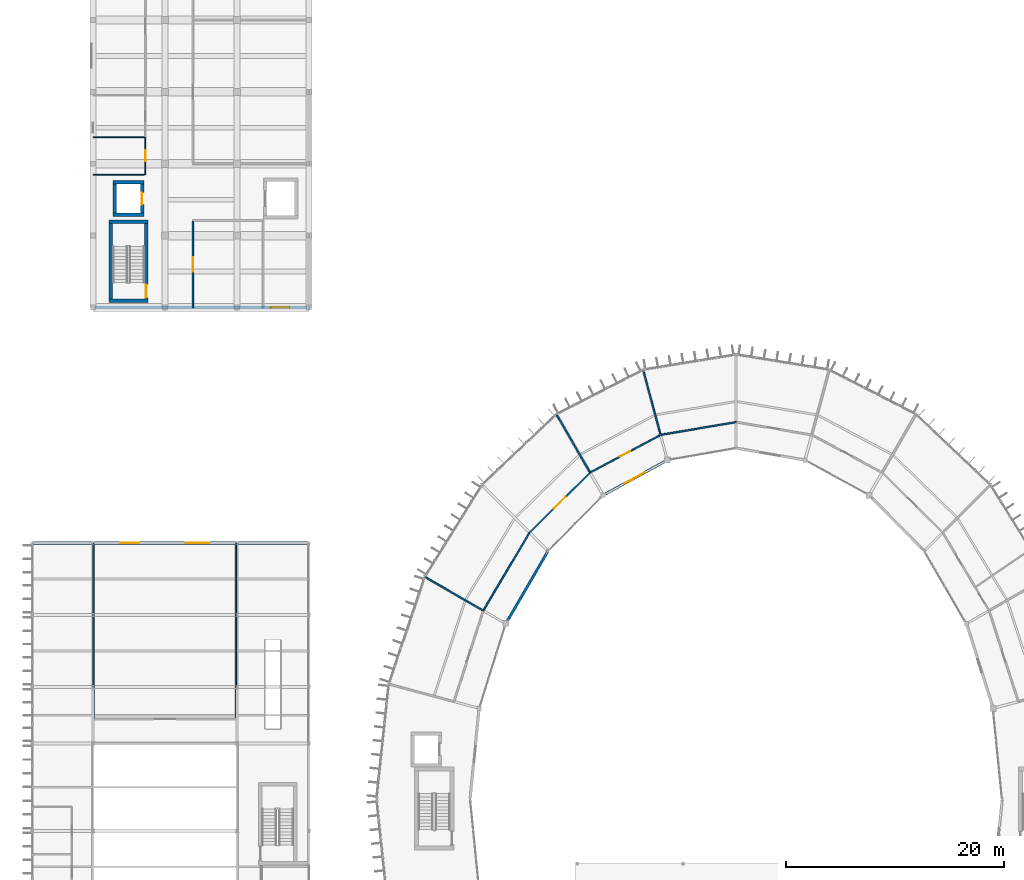
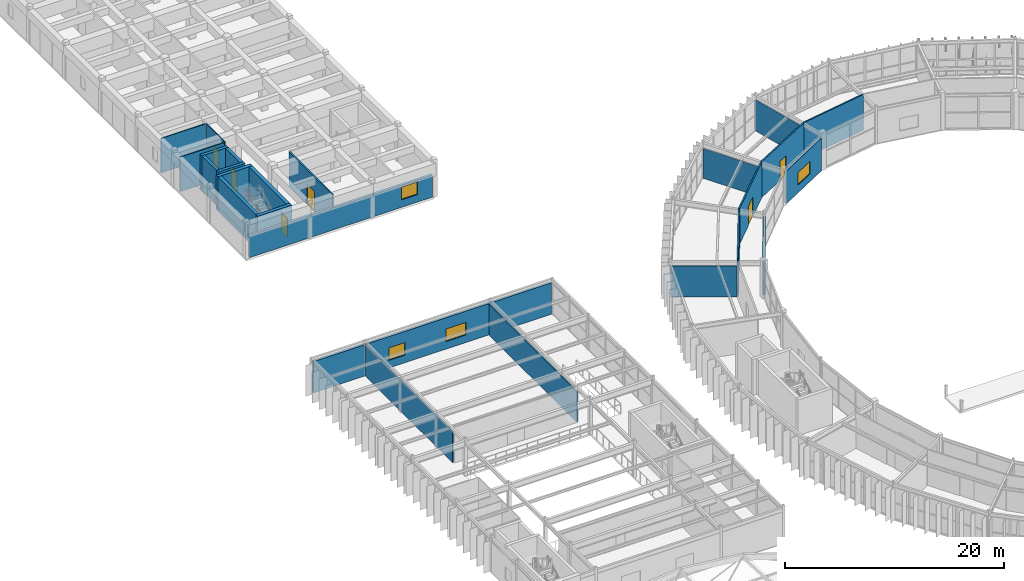
# One storey, part 141 of 157: 25 walls, 6 doors, 4 windows, 10 openings.
"""IFC4 building model written with IfcOpenShell, lengths in metres."""

from ifc_helpers import new_model, si_unit, direction, frame, frame_2d, origin, place, context, subcontext, project, spatial, rectangle, extrude, material, layer, layer_set, type_object, element, fill, save


model = new_model("IFC4")

# Units and contexts
model_context = context("Model", 3, precision=1e-05, world=origin(), true_north=direction((0.0, 1.0)))
body_context = subcontext(model_context, "Body", "Model", "MODEL_VIEW")
ifc_project = project(units=[si_unit("LENGTHUNIT", "METRE"), si_unit("AREAUNIT", "SQUARE_METRE"), si_unit("VOLUMEUNIT", "CUBIC_METRE"), si_unit("PLANEANGLEUNIT", "RADIAN"), si_unit("MASSUNIT", "GRAM", prefix="KILO")], contexts=[model_context])

# Site, building, storey
site_placement = place(None, origin())
site = spatial("IfcSite", under=ifc_project, at=site_placement, CompositionType="ELEMENT")
building_placement = place(site_placement, origin())
building = spatial("IfcBuilding", under=site, at=building_placement, Name="Karori Crest Natural Sciences Institute", CompositionType="ELEMENT")
storey_placement = place(building_placement, frame((0.0, 0.0, 13.300048828125)))
storey = spatial("IfcBuildingStorey", under=building, at=storey_placement, Name="L03", CompositionType="ELEMENT", Elevation=13.300048828125)

# Walls
ifc_material_1 = material(Name="Concrete 50 MPa", Category="concrete")
ifc_layer_1 = layer(ifc_material_1, 0.35009765625, Name="Concrete 50 MPa")
ifc_layer_set_1 = layer_set([ifc_layer_1], Name="Concrete 50 MPa")
wall_type_1 = type_object("IfcWallType", Name="IWT-02", PredefinedType="SHEAR", material=ifc_layer_set_1)
for number, where, z_axis, x_axis, name in (
    (1, (8.85009765625, 95.625, 0.0), (0.0, 0.0, 1.0), (1.0, 0.0, 0.0), "Shear wall IW-0181"),
    (2, (8.85009765625, 102.875, 0.0), (0.0, 0.0, 1.0), (1.0, 0.0, 0.0), "Shear wall IW-0182"),
):
    element("IfcWall", number, at=place(storey_placement, frame(where, z_axis=z_axis, x_axis=x_axis)), inside=storey, type_object=wall_type_1, Name=name, PredefinedType="SHEAR", context=body_context, shape_type="SweptSolid", body=[
        extrude(rectangle(XDim=3.599853515625, YDim=0.35009765625, at=frame_2d((1.7998046875, 0.0))), origin(), (0.0, 0.0, 1.0), 3.849853515625),
    ])
wall_1_placement = place(storey_placement, frame((9.02490234375, 95.802001953125, 0.0), z_axis=(0.0, 0.0, 1.0), x_axis=(0.0, 1.0, 0.0)))
element("IfcWall", 3, at=wall_1_placement, inside=storey, type_object=wall_type_1, Name="Shear wall IW-0183", PredefinedType="SHEAR", context=body_context, shape_type="SweptSolid", body=[
    extrude(rectangle(XDim=6.89599609375, YDim=0.35009765625, at=frame_2d((3.447998046875, 0.0))), origin(), (0.0, 0.0, 1.0), 3.849853515625),
])

# Wall, opening, door
wall_2_placement = place(storey_placement, frame((12.27490234375, 95.802001953125, 0.0), z_axis=(0.0, 0.0, 1.0), x_axis=(0.0, 1.0, 0.0)))
wall_2 = element("IfcWall", 4, at=wall_2_placement, inside=storey, type_object=wall_type_1, Name="Shear wall IW-0184", PredefinedType="SHEAR", context=body_context, shape_type="SweptSolid", body=[
    extrude(rectangle(XDim=6.89599609375, YDim=0.35009765625, at=frame_2d((3.447998046875, 0.0))), origin(), (0.0, 0.0, 1.0), 3.849853515625),
])
opening_1_placement = place(wall_2_placement, frame((0.1201171875, 0.0, 0.0)))
opening_1 = element("IfcOpeningElement", 5, at=opening_1_placement, cuts=wall_2, Name="Opening ID-0046", PredefinedType="OPENING", context=body_context, shape_type="SweptSolid", body=[
    extrude(rectangle(XDim=1.199951171875, YDim=2.14990234375, at=frame_2d((0.60009765625, 1.074951171875))), frame((0.0, 0.18505859375, 0.0), z_axis=(0.0, -1.0, 0.0), x_axis=(1.0, 0.0, 0.0)), (0.0, 0.0, 1.0), 0.3701171875),
])
ifc_material_2 = material(Name="Stainless steel 316 and fire-rated timber", Category="steel")
door_type_1 = type_object("IfcDoorType", Name="IDT-01", OperationType="NOTDEFINED", PredefinedType="DOOR", material=ifc_material_2)
door_1_placement = place(opening_1_placement, origin())
door_1 = element("IfcDoor", 6, at=door_1_placement, inside=storey, type_object=door_type_1, Name="Stair ST-05 fire door ID-0046", OperationType="SINGLE_SWING_RIGHT", OverallHeight=2.14990234375, OverallWidth=1.199951171875, PredefinedType="DOOR", context=body_context, shape_type="SweptSolid", body=[
    extrude(rectangle(XDim=1.199951171875, YDim=2.14990234375, at=frame_2d((0.60009765625, 1.074951171875))), frame((0.0, 0.02490234375, 0.0), z_axis=(0.0, -1.0, 0.0), x_axis=(1.0, 0.0, 0.0)), (0.0, 0.0, 1.0), 0.050048828125),
])
fill(opening_1, door_1)

# Walls
ifc_layer_2 = layer(ifc_material_1, 0.320068359375, Name="Concrete 50 MPa")
ifc_layer_set_2 = layer_set([ifc_layer_2], Name="Concrete 50 MPa")
wall_type_2 = type_object("IfcWallType", Name="IWT-03", PredefinedType="SHEAR", material=ifc_layer_set_2)
for number, where, z_axis, x_axis, name in (
    (7, (9.2451171875, 103.5048828125, 0.0), (0.0, 0.0, 1.0), (1.0, 0.0, 0.0), "Shear wall IW-0503"),
    (8, (9.2451171875, 106.4951171875, 0.0), (0.0, 0.0, 1.0), (1.0, 0.0, 0.0), "Shear wall IW-0504"),
):
    element("IfcWall", number, at=place(storey_placement, frame(where, z_axis=z_axis, x_axis=x_axis)), inside=storey, type_object=wall_type_2, Name=name, PredefinedType="SHEAR", context=body_context, shape_type="SweptSolid", body=[
        extrude(rectangle(XDim=2.809814453125, YDim=0.320068359375, at=frame_2d((1.40478515625, 0.0))), origin(), (0.0, 0.0, 1.0), 3.849853515625),
    ])
wall_3_placement = place(storey_placement, frame((9.405029296875, 103.6669921875, 0.0), z_axis=(0.0, 0.0, 1.0), x_axis=(0.0, 1.0, 0.0)))
element("IfcWall", 9, at=wall_3_placement, inside=storey, type_object=wall_type_2, Name="Shear wall IW-0505", PredefinedType="SHEAR", context=body_context, shape_type="SweptSolid", body=[
    extrude(rectangle(XDim=2.666015625, YDim=0.320068359375, at=frame_2d((1.3330078125, 0.0))), origin(), (0.0, 0.0, 1.0), 3.849853515625),
])

# Wall, opening, door
wall_4_placement = place(storey_placement, frame((11.89501953125, 103.6669921875, 0.0), z_axis=(0.0, 0.0, 1.0), x_axis=(0.0, 1.0, 0.0)))
wall_4 = element("IfcWall", 10, at=wall_4_placement, inside=storey, type_object=wall_type_2, Name="Shear wall IW-0506", PredefinedType="SHEAR", context=body_context, shape_type="SweptSolid", body=[
    extrude(rectangle(XDim=2.666015625, YDim=0.320068359375, at=frame_2d((1.3330078125, 0.0))), origin(), (0.0, 0.0, 1.0), 3.849853515625),
])
opening_2_placement = place(wall_4_placement, frame((0.782958984375, 0.0, 0.0)))
opening_2 = element("IfcOpeningElement", 11, at=opening_2_placement, cuts=wall_4, Name="Opening LD-0052", PredefinedType="OPENING", context=body_context, shape_type="SweptSolid", body=[
    extrude(rectangle(XDim=1.10009765625, YDim=2.14990234375, at=frame_2d((0.550048828125, 1.074951171875))), frame((0.0, 0.169921875, 0.0), z_axis=(0.0, -1.0, 0.0), x_axis=(1.0, 0.0, 0.0)), (0.0, 0.0, 1.0), 0.340087890625),
])
door_type_2 = type_object("IfcDoorType", Name="LDT-01", OperationType="SLIDING_TO_LEFT", PredefinedType="DOOR", material=ifc_material_2)
door_2_placement = place(opening_2_placement, origin())
door_2 = element("IfcDoor", 12, at=door_2_placement, inside=storey, type_object=door_type_2, Name="Lift LP-04 landing door LD-0052", OperationType="SLIDING_TO_LEFT", OverallHeight=2.14990234375, OverallWidth=1.10009765625, PredefinedType="DOOR", context=body_context, shape_type="SweptSolid", body=[
    extrude(rectangle(XDim=1.10009765625, YDim=2.14990234375, at=frame_2d((0.550048828125, 1.074951171875))), frame((0.0, 0.02490234375, 0.0), z_axis=(0.0, -1.0, 0.0), x_axis=(1.0, 0.0, 0.0)), (0.0, 0.0, 1.0), 0.050048828125),
])
fill(opening_2, door_2)

ifc_material_3 = material(Name="Clean-room insulated fire partition")
ifc_layer_3 = layer(ifc_material_3, 0.14990234375, Name="Clean-room insulated fire partition")
ifc_layer_set_3 = layer_set([ifc_layer_3], Name="Clean-room insulated fire partition")
wall_type_3 = type_object("IfcWallType", Name="IWT-06", PredefinedType="PARTITIONING", material=ifc_layer_set_3)
wall_5_placement = place(storey_placement, frame((16.550048828125, 95.0, 0.0), z_axis=(0.0, 0.0, 1.0), x_axis=(0.0, 1.0, 0.0)))
wall_5 = element("IfcWall", 13, at=wall_5_placement, inside=storey, type_object=wall_type_3, Name="Partition wall IW-0992", PredefinedType="PARTITIONING", context=body_context, shape_type="SweptSolid", body=[
    extrude(rectangle(XDim=7.923095703125, YDim=0.14990234375, at=frame_2d((3.96142578125, 0.0))), origin(), (0.0, 0.0, 1.0), 3.849853515625),
])
opening_3_placement = place(wall_5_placement, frame((3.3115234375, 0.0, 0.0)))
opening_3 = element("IfcOpeningElement", 14, at=opening_3_placement, cuts=wall_5, Name="Opening ID-0267", PredefinedType="OPENING", context=body_context, shape_type="SweptSolid", body=[
    extrude(rectangle(XDim=1.300048828125, YDim=2.199951171875, at=frame_2d((0.64990234375, 1.10009765625))), frame((0.0, 0.0849609375, 0.0), z_axis=(0.0, -1.0, 0.0), x_axis=(1.0, 0.0, 0.0)), (0.0, 0.0, 1.0), 0.169921875),
])
door_type_3 = type_object("IfcDoorType", Name="IDT-04", OperationType="NOTDEFINED", PredefinedType="DOOR", material=ifc_material_2)
door_3_placement = place(opening_3_placement, origin())
door_3 = element("IfcDoor", 15, at=door_3_placement, inside=storey, type_object=door_type_3, Name="ISO Class 5 Lithography Clean Room door ID-0267", OperationType="SINGLE_SWING_LEFT", OverallHeight=2.199951171875, OverallWidth=1.300048828125, PredefinedType="DOOR", context=body_context, shape_type="SweptSolid", body=[
    extrude(rectangle(XDim=1.300048828125, YDim=2.199951171875, at=frame_2d((0.64990234375, 1.10009765625))), frame((0.0, 0.02490234375, 0.0), z_axis=(0.0, -1.0, 0.0), x_axis=(1.0, 0.0, 0.0)), (0.0, 0.0, 1.0), 0.050048828125),
])
fill(opening_3, door_3)

# Walls
ifc_material_4 = material(Name="Laboratory acoustic drywall partition")
ifc_layer_4 = layer(ifc_material_4, 0.139892578125, Name="Laboratory acoustic drywall partition")
ifc_layer_set_4 = layer_set([ifc_layer_4], Name="Laboratory acoustic drywall partition")
wall_type_4 = type_object("IfcWallType", Name="IWT-07", PredefinedType="PARTITIONING", material=ifc_layer_set_4)
wall_6_placement = place(storey_placement, frame((7.449951171875, 57.322021484375, 0.0), z_axis=(0.0, 0.0, 1.0), x_axis=(0.0, 1.0, 0.0)))
element("IfcWall", 16, at=wall_6_placement, inside=storey, type_object=wall_type_4, Name="Partition wall IW-1116", PredefinedType="PARTITIONING", context=body_context, shape_type="SweptSolid", body=[
    extrude(rectangle(XDim=16.077880859375, YDim=0.139892578125, at=frame_2d((8.0390625, 0.0))), origin(), (0.0, 0.0, 1.0), 3.445068359375),
])
wall_7_placement = place(storey_placement, frame((20.5, 57.25, 0.0), z_axis=(0.0, 0.0, 1.0), x_axis=(0.0, 1.0, 0.0)))
element("IfcWall", 17, at=wall_7_placement, inside=storey, type_object=wall_type_4, Name="Partition wall IW-1117", PredefinedType="PARTITIONING", context=body_context, shape_type="SweptSolid", body=[
    extrude(rectangle(XDim=16.14990234375, YDim=0.139892578125, at=frame_2d((8.074951171875, 0.0))), origin(), (0.0, 0.0, 1.0), 3.445068359375),
])
wall_8_placement = place(storey_placement, frame((66.39794921875, 84.499755859375, 0.0), z_axis=(0.0, 0.0, 1.0), x_axis=(-0.985858771321, -0.167578289193, 0.0)))
element("IfcWall", 18, at=wall_8_placement, inside=storey, type_object=wall_type_4, Name="Partition wall IW-1300", PredefinedType="PARTITIONING", context=body_context, shape_type="SweptSolid", body=[
    extrude(rectangle(XDim=7.03369140625, YDim=0.139892578125, at=frame_2d((3.516845703125, 0.0))), origin(), (0.0, 0.0, 1.0), 3.97998046875),
])
wall_9_placement = place(storey_placement, frame((59.44287109375, 83.398193359375, 0.0), z_axis=(0.0, 0.0, 1.0), x_axis=(-0.258805895167, 0.965929349708, 0.0)))
element("IfcWall", 19, at=wall_9_placement, inside=storey, type_object=wall_type_4, Name="Partition wall IW-1301", PredefinedType="PARTITIONING", context=body_context, shape_type="SweptSolid", body=[
    extrude(rectangle(XDim=6.06005859375, YDim=0.139892578125, at=frame_2d((3.030029296875, 0.0))), origin(), (0.0, 0.0, 1.0), 3.46484375),
])

# Wall, opening, door
wall_10_placement = place(storey_placement, frame((59.3984375, 83.2861328125, 0.0), z_axis=(0.0, 0.0, 1.0), x_axis=(-0.881829873621, -0.471567676999, 0.0)))
wall_10 = element("IfcWall", 20, at=wall_10_placement, inside=storey, type_object=wall_type_4, Name="Partition wall IW-1302", PredefinedType="PARTITIONING", context=body_context, shape_type="SweptSolid", body=[
    extrude(rectangle(XDim=7.255859375, YDim=0.139892578125, at=frame_2d((3.6279296875, 0.0))), origin(), (0.0, 0.0, 1.0), 3.97998046875),
])
opening_4_placement = place(wall_10_placement, frame((3.10302734375, 0.0, 0.0)))
opening_4 = element("IfcOpeningElement", 21, at=opening_4_placement, cuts=wall_10, Name="Opening ID-0405", PredefinedType="OPENING", context=body_context, shape_type="SweptSolid", body=[
    extrude(rectangle(XDim=1.050048828125, YDim=2.14990234375, at=frame_2d((0.52490234375, 1.074951171875))), frame((0.0, 0.080078125, 0.0), z_axis=(0.0, -1.0, 0.0), x_axis=(1.0, 0.0, 0.0)), (0.0, 0.0, 1.0), 0.159912109375),
])
door_type_4 = type_object("IfcDoorType", Name="IDT-03", OperationType="NOTDEFINED", PredefinedType="DOOR", material=ifc_material_2)
door_4_placement = place(opening_4_placement, origin())
door_4 = element("IfcDoor", 22, at=door_4_placement, inside=storey, type_object=door_type_4, Name="Molecular Ecology Wet Laboratory door ID-0405", OperationType="SINGLE_SWING_RIGHT", OverallHeight=2.14990234375, OverallWidth=1.050048828125, PredefinedType="DOOR", context=body_context, shape_type="SweptSolid", body=[
    extrude(rectangle(XDim=1.050048828125, YDim=2.14990234375, at=frame_2d((0.52490234375, 1.074951171875))), frame((0.0, 0.02490234375, 0.0), z_axis=(0.0, -1.0, 0.0), x_axis=(1.0, 0.0, 0.0)), (0.0, 0.0, 1.0), 0.050048828125),
])
fill(opening_4, door_4)

# Wall
wall_11_placement = place(storey_placement, frame((52.9599609375, 79.933837890625, 0.0), z_axis=(0.0, 0.0, 1.0), x_axis=(-0.500008418462, 0.866020543329, 0.0)))
element("IfcWall", 23, at=wall_11_placement, inside=storey, type_object=wall_type_4, Name="Partition wall IW-1303", PredefinedType="PARTITIONING", context=body_context, shape_type="SweptSolid", body=[
    extrude(rectangle(XDim=6.06005859375, YDim=0.139892578125, at=frame_2d((3.030029296875, 0.0))), origin(), (0.0, 0.0, 1.0), 3.31298828125),
])

# Wall, opening, door
wall_12_placement = place(storey_placement, frame((52.99853515625, 79.863037109375, 0.0), z_axis=(0.0, 0.0, 1.0), x_axis=(-0.710427757183, -0.703770134222, 0.0)))
wall_12 = element("IfcWall", 24, at=wall_12_placement, inside=storey, type_object=wall_type_4, Name="Partition wall IW-1304", PredefinedType="PARTITIONING", context=body_context, shape_type="SweptSolid", body=[
    extrude(rectangle(XDim=7.810791015625, YDim=0.139892578125, at=frame_2d((3.9052734375, 0.0))), origin(), (0.0, 0.0, 1.0), 3.97998046875),
])
opening_5_placement = place(wall_12_placement, frame((3.155517578125, 0.0, 0.0)))
opening_5 = element("IfcOpeningElement", 25, at=opening_5_placement, cuts=wall_12, Name="Opening ID-0406", PredefinedType="OPENING", context=body_context, shape_type="SweptSolid", body=[
    extrude(rectangle(XDim=1.5, YDim=2.14990234375, at=frame_2d((0.75, 1.074951171875))), frame((0.0, 0.080078125, 0.0), z_axis=(0.0, -1.0, 0.0), x_axis=(1.0, 0.0, 0.0)), (0.0, 0.0, 1.0), 0.159912109375),
])
door_type_5 = type_object("IfcDoorType", Name="IDT-05", OperationType="DOUBLE_DOOR_SINGLE_SWING", PredefinedType="DOOR", material=ifc_material_2)
door_5_placement = place(opening_5_placement, origin())
door_5 = element("IfcDoor", 26, at=door_5_placement, inside=storey, type_object=door_type_5, Name="Wet Biology Laboratory door ID-0406", OperationType="DOUBLE_DOOR_SINGLE_SWING", OverallHeight=2.14990234375, OverallWidth=1.5, PredefinedType="DOOR", context=body_context, shape_type="SweptSolid", body=[
    extrude(rectangle(XDim=1.5, YDim=2.14990234375, at=frame_2d((0.75, 1.074951171875))), frame((0.0, 0.02490234375, 0.0), z_axis=(0.0, -1.0, 0.0), x_axis=(1.0, 0.0, 0.0)), (0.0, 0.0, 1.0), 0.050048828125),
])
fill(opening_5, door_5)

# Walls
wall_13_placement = place(storey_placement, frame((47.448486328125, 74.3642578125, 0.0), z_axis=(0.0, 0.0, 1.0), x_axis=(-0.510915698067, -0.859630821614, 0.0)))
element("IfcWall", 27, at=wall_13_placement, inside=storey, type_object=wall_type_4, Name="Partition wall IW-1305", PredefinedType="PARTITIONING", context=body_context, shape_type="SweptSolid", body=[
    extrude(rectangle(XDim=8.334228515625, YDim=0.139892578125, at=frame_2d((4.1669921875, 0.0))), origin(), (0.0, 0.0, 1.0), 3.97998046875),
])
wall_14_placement = place(storey_placement, frame((43.12109375, 67.239990234375, 0.0), z_axis=(0.0, 0.0, 1.0), x_axis=(-0.866010470582, 0.500025864173, 0.0)))
element("IfcWall", 28, at=wall_14_placement, inside=storey, type_object=wall_type_4, Name="Partition wall IW-1306", PredefinedType="PARTITIONING", context=body_context, shape_type="SweptSolid", body=[
    extrude(rectangle(XDim=6.059814453125, YDim=0.139892578125, at=frame_2d((3.02978515625, 0.0))), origin(), (0.0, 0.0, 1.0), 3.470947265625),
])
ifc_material_5 = material(Name="Washroom moisture-resistant partition")
ifc_layer_5 = layer(ifc_material_5, 0.10009765625, Name="Washroom moisture-resistant partition")
ifc_layer_set_5 = layer_set([ifc_layer_5], Name="Washroom moisture-resistant partition")
wall_type_5 = type_object("IfcWallType", Name="IWT-09", PredefinedType="PARTITIONING", material=ifc_layer_set_5)
for number, where, z_axis, x_axis, name in (
    (29, (7.39990234375, 107.199951171875, 0.0), (0.0, 0.0, 1.0), (1.0, 0.0, 0.0), "Partition wall IW-0980"),
    (30, (7.39990234375, 110.64990234375, 0.0), (0.0, 0.0, 1.0), (1.0, 0.0, 0.0), "Partition wall IW-0981"),
):
    element("IfcWall", number, at=place(storey_placement, frame(where, z_axis=z_axis, x_axis=x_axis)), inside=storey, type_object=wall_type_5, Name=name, PredefinedType="PARTITIONING", context=body_context, shape_type="SweptSolid", body=[
        extrude(rectangle(XDim=4.697998046875, YDim=0.10009765625, at=frame_2d((2.34912109375, 0.0))), origin(), (0.0, 0.0, 1.0), 3.849853515625),
    ])

# Wall, opening, door
wall_15_placement = place(storey_placement, frame((12.199951171875, 107.199951171875, 0.0), z_axis=(0.0, 0.0, 1.0), x_axis=(0.0, 1.0, 0.0)))
wall_15 = element("IfcWall", 31, at=wall_15_placement, inside=storey, type_object=wall_type_5, Name="Partition wall IW-0982", PredefinedType="PARTITIONING", context=body_context, shape_type="SweptSolid", body=[
    extrude(rectangle(XDim=3.449951171875, YDim=0.10009765625, at=frame_2d((1.72509765625, 0.0))), origin(), (0.0, 0.0, 1.0), 3.849853515625),
])
opening_6_placement = place(wall_15_placement, frame((1.22509765625, 0.0, 0.0)))
opening_6 = element("IfcOpeningElement", 32, at=opening_6_placement, cuts=wall_15, Name="Opening ID-0262", PredefinedType="OPENING", context=body_context, shape_type="SweptSolid", body=[
    extrude(rectangle(XDim=1.0, YDim=2.10009765625, at=frame_2d((0.5, 1.050048828125))), frame((0.0, 0.06005859375, 0.0), z_axis=(0.0, -1.0, 0.0), x_axis=(1.0, 0.0, 0.0)), (0.0, 0.0, 1.0), 0.1201171875),
])
ifc_material_6 = material(Name="Anodised aluminium and acoustic timber", Category="wood")
door_type_6 = type_object("IfcDoorType", Name="IDT-09", OperationType="NOTDEFINED", PredefinedType="DOOR", material=ifc_material_6)
door_6_placement = place(opening_6_placement, origin())
door_6 = element("IfcDoor", 33, at=door_6_placement, inside=storey, type_object=door_type_6, Name="Accessible WC door ID-0262", OperationType="SINGLE_SWING_RIGHT", OverallHeight=2.10009765625, OverallWidth=1.0, PredefinedType="DOOR", context=body_context, shape_type="SweptSolid", body=[
    extrude(rectangle(XDim=1.0, YDim=2.10009765625, at=frame_2d((0.5, 1.050048828125))), frame((0.0, 0.02490234375, 0.0), z_axis=(0.0, -1.0, 0.0), x_axis=(1.0, 0.0, 0.0)), (0.0, 0.0, 1.0), 0.050048828125),
])
fill(opening_6, door_6)

# Wall, opening, window
ifc_material_7 = material(Name="Precast concrete 40 MPa", Category="concrete")
ifc_layer_6 = layer(ifc_material_7, 0.260009765625, Name="Precast concrete 40 MPa")
ifc_layer_set_6 = layer_set([ifc_layer_6], Name="Precast concrete 40 MPa")
wall_type_6 = type_object("IfcWallType", Name="WT-03", PredefinedType="SOLIDWALL", material=ifc_layer_set_6)
wall_16_placement = place(storey_placement, frame((26.97705078125, 95.0, 0.0), z_axis=(0.0, 0.0, 1.0), x_axis=(-1.0, 0.0, 0.0)))
wall_16 = element("IfcWall", 34, at=wall_16_placement, inside=storey, type_object=wall_type_6, Name="Exterior wall EW-0172", PredefinedType="SOLIDWALL", context=body_context, shape_type="SweptSolid", body=[
    extrude(rectangle(XDim=19.35400390625, YDim=0.260009765625, at=frame_2d((9.677001953125, 0.0))), origin(), (0.0, 0.0, 1.0), 2.47998046875),
])
opening_7_placement = place(wall_16_placement, frame((1.576904296875, 0.0, 0.85009765625)))
opening_7 = element("IfcOpeningElement", 35, at=opening_7_placement, cuts=wall_16, Name="Opening WN-0115", PredefinedType="OPENING", context=body_context, shape_type="SweptSolid", body=[
    extrude(rectangle(XDim=1.699951171875, YDim=1.39990234375, at=frame_2d((0.85009765625, 0.699951171875))), frame((0.0, 0.14013671875, 0.0), z_axis=(0.0, -1.0, 0.0), x_axis=(1.0, 0.0, 0.0)), (0.0, 0.0, 1.0), 0.280029296875),
])
ifc_material_8 = material(Name="Double low-E laminated glass", Category="glass")
window_type_1 = type_object("IfcWindowType", Name="WNT-05", PartitioningType="SINGLE_PANEL", PredefinedType="WINDOW", material=ifc_material_8)
window_1_placement = place(opening_7_placement, origin())
window_1 = element("IfcWindow", 36, at=window_1_placement, inside=storey, type_object=window_type_1, Name="Window WN-0115", OverallHeight=1.39990234375, OverallWidth=1.699951171875, PartitioningType="SINGLE_PANEL", PredefinedType="WINDOW", context=body_context, shape_type="SweptSolid", body=[
    extrude(rectangle(XDim=1.699951171875, YDim=1.39990234375, at=frame_2d((0.85009765625, 0.699951171875))), frame((0.0, 0.030029296875, 0.0), z_axis=(0.0, -1.0, 0.0), x_axis=(1.0, 0.0, 0.0)), (0.0, 0.0, 1.0), 0.06005859375),
])
fill(opening_7, window_1)

ifc_layer_7 = layer(ifc_material_7, 0.239990234375, Name="Precast concrete 40 MPa")
ifc_layer_set_7 = layer_set([ifc_layer_7], Name="Precast concrete 40 MPa")
wall_type_7 = type_object("IfcWallType", Name="WT-04", PredefinedType="SOLIDWALL", material=ifc_layer_set_7)
wall_17_placement = place(storey_placement, frame((59.8115234375, 80.853515625, 0.0), z_axis=(0.0, 0.0, 1.0), x_axis=(-0.877452080284, -0.479664306369, 0.0)))
wall_17 = element("IfcWall", 37, at=wall_17_placement, inside=storey, type_object=wall_type_7, Name="Exterior wall EW-0067", PredefinedType="SOLIDWALL", context=body_context, shape_type="SweptSolid", body=[
    extrude(rectangle(XDim=6.16943359375, YDim=0.239990234375, at=frame_2d((3.084716796875, 0.0))), origin(), (0.0, 0.0, 1.0), 3.64990234375),
])
opening_8_placement = place(wall_17_placement, frame((2.009765625, 0.0, 0.85009765625)))
opening_8 = element("IfcOpeningElement", 38, at=opening_8_placement, cuts=wall_17, Name="Opening WN-0024", PredefinedType="OPENING", context=body_context, shape_type="SweptSolid", body=[
    extrude(rectangle(XDim=2.14990234375, YDim=1.39990234375, at=frame_2d((1.074951171875, 0.699951171875))), frame((0.0, 0.1298828125, 0.0), z_axis=(0.0, -1.0, 0.0), x_axis=(1.0, 0.0, 0.0)), (0.0, 0.0, 1.0), 0.260009765625),
])
window_type_2 = type_object("IfcWindowType", Name="WNT-08", PartitioningType="SINGLE_PANEL", PredefinedType="WINDOW", material=ifc_material_8)
window_2_placement = place(opening_8_placement, origin())
window_2 = element("IfcWindow", 39, at=window_2_placement, inside=storey, type_object=window_type_2, Name="Window WN-0024", OverallHeight=1.39990234375, OverallWidth=2.14990234375, PartitioningType="SINGLE_PANEL", PredefinedType="WINDOW", context=body_context, shape_type="SweptSolid", body=[
    extrude(rectangle(XDim=2.14990234375, YDim=1.39990234375, at=frame_2d((1.074951171875, 0.699951171875))), frame((0.0, 0.030029296875, 0.0), z_axis=(0.0, -1.0, 0.0), x_axis=(1.0, 0.0, 0.0)), (0.0, 0.0, 1.0), 0.06005859375),
])
fill(opening_8, window_2)

# Wall
wall_18_placement = place(storey_placement, frame((49.08642578125, 72.5654296875, 0.0), z_axis=(0.0, 0.0, 1.0), x_axis=(-0.502637947221, -0.864497017932, 0.0)))
element("IfcWall", 40, at=wall_18_placement, inside=storey, type_object=wall_type_7, Name="Exterior wall EW-0068", PredefinedType="SOLIDWALL", context=body_context, shape_type="SweptSolid", body=[
    extrude(rectangle(XDim=7.278564453125, YDim=0.239990234375, at=frame_2d((3.63916015625, 0.0))), origin(), (0.0, 0.0, 1.0), 3.64990234375),
])

# Wall, openings, windows
wall_19_placement = place(storey_placement, frame((1.923095703125, 73.39990234375, 0.0), z_axis=(0.0, 0.0, 1.0), x_axis=(1.0, 0.0, 0.0)))
wall_19 = element("IfcWall", 41, at=wall_19_placement, inside=storey, type_object=wall_type_7, Name="Exterior wall EW-0146", PredefinedType="SOLIDWALL", context=body_context, shape_type="SweptSolid", body=[
    extrude(rectangle(XDim=25.15380859375, YDim=0.239990234375, at=frame_2d((12.576904296875, 0.0))), origin(), (0.0, 0.0, 1.0), 3.5048828125),
])
opening_9_placement = place(wall_19_placement, frame((7.97705078125, 0.0, 0.85009765625)))
opening_9 = element("IfcOpeningElement", 42, at=opening_9_placement, cuts=wall_19, Name="Opening WN-0087", PredefinedType="OPENING", context=body_context, shape_type="SweptSolid", body=[
    extrude(rectangle(XDim=1.699951171875, YDim=1.39990234375, at=frame_2d((0.85009765625, 0.699951171875))), frame((0.0, 0.1298828125, 0.0), z_axis=(0.0, -1.0, 0.0), x_axis=(1.0, 0.0, 0.0)), (0.0, 0.0, 1.0), 0.260009765625),
])
opening_10_placement = place(wall_19_placement, frame((13.97705078125, 0.0, 0.85009765625)))
opening_10 = element("IfcOpeningElement", 43, at=opening_10_placement, cuts=wall_19, Name="Opening WN-0088", PredefinedType="OPENING", context=body_context, shape_type="SweptSolid", body=[
    extrude(rectangle(XDim=2.14990234375, YDim=1.39990234375, at=frame_2d((1.074951171875, 0.699951171875))), frame((0.0, 0.1298828125, 0.0), z_axis=(0.0, -1.0, 0.0), x_axis=(1.0, 0.0, 0.0)), (0.0, 0.0, 1.0), 0.260009765625),
])
window_3_placement = place(opening_9_placement, origin())
window_3 = element("IfcWindow", 44, at=window_3_placement, inside=storey, type_object=window_type_1, Name="Window WN-0087", OverallHeight=1.39990234375, OverallWidth=1.699951171875, PartitioningType="SINGLE_PANEL", PredefinedType="WINDOW", context=body_context, shape_type="SweptSolid", body=[
    extrude(rectangle(XDim=1.699951171875, YDim=1.39990234375, at=frame_2d((0.85009765625, 0.699951171875))), frame((0.0, 0.030029296875, 0.0), z_axis=(0.0, -1.0, 0.0), x_axis=(1.0, 0.0, 0.0)), (0.0, 0.0, 1.0), 0.06005859375),
])
fill(opening_9, window_3)
window_4_placement = place(opening_10_placement, origin())
window_4 = element("IfcWindow", 45, at=window_4_placement, inside=storey, type_object=window_type_2, Name="Window WN-0088", OverallHeight=1.39990234375, OverallWidth=2.14990234375, PartitioningType="SINGLE_PANEL", PredefinedType="WINDOW", context=body_context, shape_type="SweptSolid", body=[
    extrude(rectangle(XDim=2.14990234375, YDim=1.39990234375, at=frame_2d((1.074951171875, 0.699951171875))), frame((0.0, 0.030029296875, 0.0), z_axis=(0.0, -1.0, 0.0), x_axis=(1.0, 0.0, 0.0)), (0.0, 0.0, 1.0), 0.06005859375),
])
fill(opening_10, window_4)

save(model, "model.ifc")
